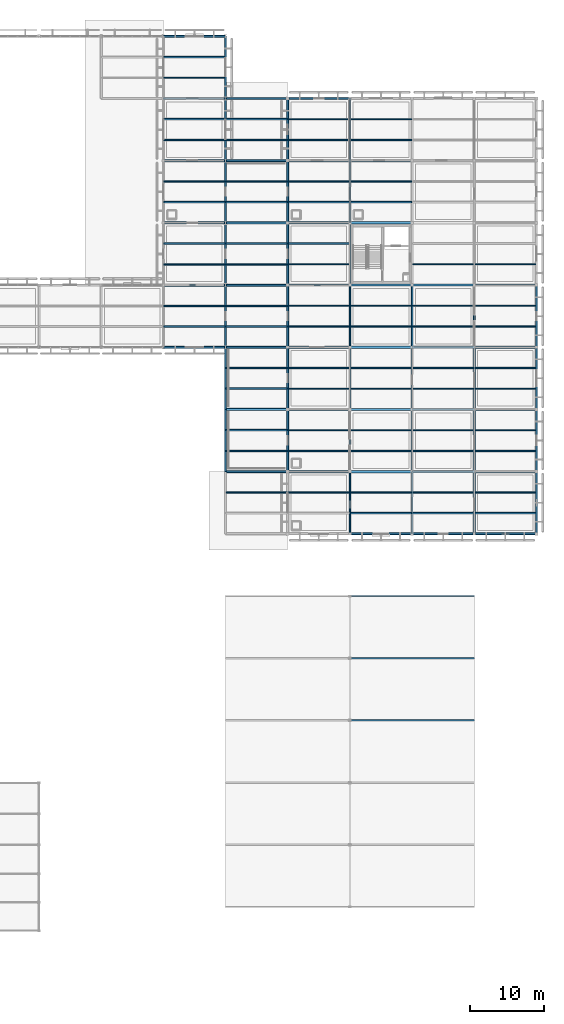
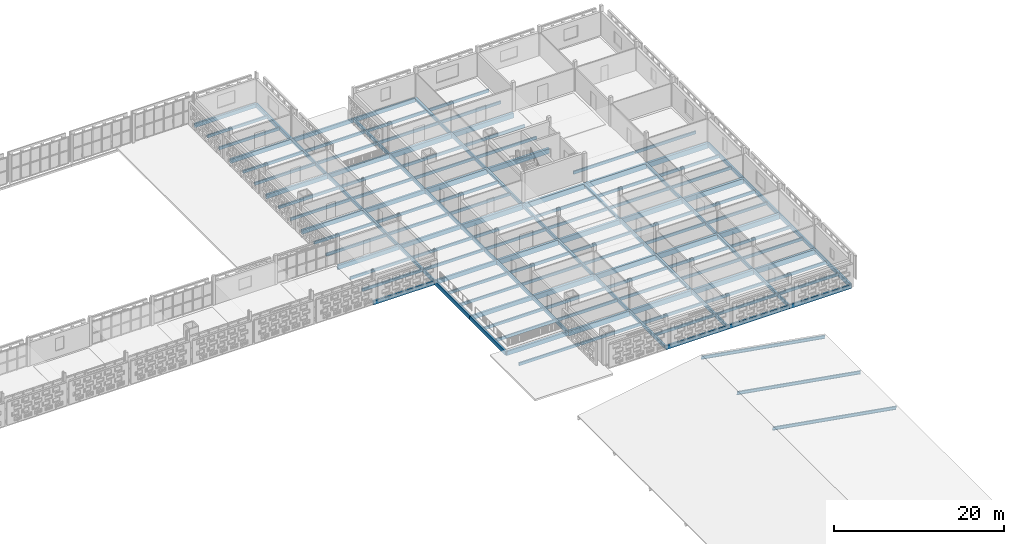
# One storey, part 68 of 140: 138 beams.
"""IFC4 building model written with IfcOpenShell, lengths in metres."""

from ifc_helpers import new_model, si_unit, direction, frame, origin, origin_2d, place, context, subcontext, project, spatial, rectangle, i_section, extrude, material, material_profile, profile_set, type_object, element, save


model = new_model("IFC4")

# Units and contexts
model_context = context("Model", 3, precision=1e-05, world=origin(), true_north=direction((0.0, 1.0)))
body_context = subcontext(model_context, "Body", "Model", "MODEL_VIEW")
ifc_project = project(units=[si_unit("LENGTHUNIT", "METRE"), si_unit("AREAUNIT", "SQUARE_METRE"), si_unit("VOLUMEUNIT", "CUBIC_METRE"), si_unit("PLANEANGLEUNIT", "RADIAN"), si_unit("MASSUNIT", "GRAM", prefix="KILO")], contexts=[model_context])

# Site, building, storey
site_placement = place(None, origin())
site = spatial("IfcSite", under=ifc_project, at=site_placement, CompositionType="ELEMENT")
building_placement = place(site_placement, origin())
building = spatial("IfcBuilding", under=site, at=building_placement, Name="Varnapada Polytechnic", CompositionType="ELEMENT")
storey_placement = place(building_placement, frame((0.0, 0.0, 13.800048828125)))
storey = spatial("IfcBuildingStorey", under=building, at=storey_placement, Name="L03", CompositionType="ELEMENT", Elevation=13.800048828125)

# Beams
ifc_material_1 = material(Name="Steel S355", Category="steel")
ifc_material_profile_1 = material_profile(ifc_material_1, i_section(OverallWidth=0.18994140625, OverallDepth=0.449951171875, WebThickness=0.009521484375, FlangeThickness=0.0146484375, FilletRadius=0.02099609375, at=origin_2d()), Name="IPE 450")
ifc_profile_set_1 = profile_set([ifc_material_profile_1], Name="Steel S355")
beam_type_1 = type_object("IfcBeamType", Name="Folded gable & library roof rafter SB-02 (IPE 450)", PredefinedType="BEAM", material=ifc_profile_set_1)
for number, where, z_axis, x_axis, name in (
    (1, (168.0, 33.60009765625, 0.22998046875), (-0.985721119745, 0.0, 0.168386086388), (0.0, -1.0, 0.0), "Refectory pavilion east rafter Y5"),
    (2, (168.0, 42.0, 0.22998046875), (-0.985721119745, 0.0, 0.168386086388), (0.0, -1.0, 0.0), "Refectory pavilion east rafter Y6"),
    (3, (168.0, 50.39990234375, 0.22998046875), (-0.985721119745, 0.0, 0.168386086388), (0.0, -1.0, 0.0), "Refectory pavilion east rafter Y7"),
):
    element("IfcBeam", number, at=place(storey_placement, frame(where, z_axis=z_axis, x_axis=x_axis)), inside=storey, type_object=beam_type_1, Name=name, PredefinedType="BEAM", context=body_context, shape_type="SweptSolid", body=[
        extrude(i_section(OverallWidth=0.18994140625, OverallDepth=0.449951171875, WebThickness=0.009521484375, FlangeThickness=0.0146484375, FilletRadius=0.02099609375, at=origin_2d()), origin(), (0.0, 0.0, 1.0), 17.04345703125),
    ])
ifc_material_2 = material(Name="Glulam GL32h", Category="wood")
ifc_material_profile_2 = material_profile(ifc_material_2, rectangle(XDim=0.320068359375, YDim=0.719970703125, at=origin_2d()), Name="GL 320x720")
ifc_profile_set_2 = profile_set([ifc_material_profile_2], Name="Glulam GL32h")
beam_type_2 = type_object("IfcBeamType", Name="Heavy library stack glulam girder GG-01 (GL 320x720)", PredefinedType="BEAM", material=ifc_profile_set_2)
for number, where, z_axis, x_axis, name in (
    (4, (142.800048828125, 67.199951171875, -0.630126953125), (1.0, 0.0, 0.0), (0.0, 1.0, 0.0), "L03 beam X 18-19 at Y9"),
    (5, (142.800048828125, 75.60009765625, -0.6201171875), (1.0, 0.0, 0.0), (0.0, 1.0, 0.0), "L03 beam X 18-19 at Y10"),
    (6, (142.800048828125, 84.0, -0.6201171875), (1.0, 0.0, 0.0), (0.0, 1.0, 0.0), "L03 beam X 18-19 at Y11"),
    (7, (142.800048828125, 92.39990234375, -0.6201171875), (1.0, 0.0, 0.0), (0.0, 1.0, 0.0), "L03 beam X 18-19 at Y12"),
    (8, (142.800048828125, 100.800048828125, -0.6201171875), (1.0, 0.0, 0.0), (0.0, 1.0, 0.0), "L03 beam X 18-19 at Y13"),
    (9, (142.800048828125, 109.199951171875, -0.630126953125), (1.0, 0.0, 0.0), (0.0, 1.0, 0.0), "L03 beam X 18-19 at Y14"),
):
    element("IfcBeam", number, at=place(storey_placement, frame(where, z_axis=z_axis, x_axis=x_axis)), inside=storey, type_object=beam_type_2, Name=name, PredefinedType="BEAM", context=body_context, shape_type="SweptSolid", body=[
        extrude(rectangle(XDim=0.320068359375, YDim=0.719970703125, at=origin_2d()), origin(), (0.0, 0.0, 1.0), 8.39990234375),
    ])
for number, where, z_axis, x_axis, name in (
    (10, (151.199951171875, 67.199951171875, -0.60009765625), (1.0, 0.0, 0.0), (0.0, 1.0, 0.0), "L03 beam X 19-20 at Y9"),
    (11, (151.199951171875, 75.60009765625, -0.60009765625), (1.0, 0.0, 0.0), (0.0, 1.0, 0.0), "L03 beam X 19-20 at Y10"),
    (12, (151.199951171875, 84.0, -0.60009765625), (1.0, 0.0, 0.0), (0.0, 1.0, 0.0), "L03 beam X 19-20 at Y11"),
    (13, (151.199951171875, 92.39990234375, -0.60009765625), (1.0, 0.0, 0.0), (0.0, 1.0, 0.0), "L03 beam X 19-20 at Y12"),
    (14, (151.199951171875, 100.800048828125, -0.60009765625), (1.0, 0.0, 0.0), (0.0, 1.0, 0.0), "L03 beam X 19-20 at Y13"),
    (15, (151.199951171875, 109.199951171875, -0.60009765625), (1.0, 0.0, 0.0), (0.0, 1.0, 0.0), "L03 beam X 19-20 at Y14"),
):
    element("IfcBeam", number, at=place(storey_placement, frame(where, z_axis=z_axis, x_axis=x_axis)), inside=storey, type_object=beam_type_2, Name=name, PredefinedType="BEAM", context=body_context, shape_type="SweptSolid", body=[
        extrude(rectangle(XDim=0.320068359375, YDim=0.719970703125, at=origin_2d()), origin(), (0.0, 0.0, 1.0), 8.400146484375),
    ])
for number, where, z_axis, x_axis, name in (
    (16, (159.60009765625, 67.199951171875, -0.60009765625), (1.0, 0.0, 0.0), (0.0, 1.0, 0.0), "L03 beam X 20-21 at Y9"),
    (17, (159.60009765625, 75.60009765625, -0.60009765625), (1.0, 0.0, 0.0), (0.0, 1.0, 0.0), "L03 beam X 20-21 at Y10"),
    (18, (159.60009765625, 84.0, -0.60009765625), (1.0, 0.0, 0.0), (0.0, 1.0, 0.0), "L03 beam X 20-21 at Y11"),
    (19, (159.60009765625, 92.39990234375, -0.60009765625), (1.0, 0.0, 0.0), (0.0, 1.0, 0.0), "L03 beam X 20-21 at Y12"),
    (20, (168.0, 67.199951171875, -0.60009765625), (1.0, 0.0, 0.0), (0.0, 1.0, 0.0), "L03 beam X 21-22 at Y9"),
    (21, (168.0, 75.60009765625, -0.60009765625), (1.0, 0.0, 0.0), (0.0, 1.0, 0.0), "L03 beam X 21-22 at Y10"),
    (22, (168.0, 84.0, -0.60009765625), (1.0, 0.0, 0.0), (0.0, 1.0, 0.0), "L03 beam X 21-22 at Y11"),
    (23, (168.0, 92.39990234375, -0.60009765625), (1.0, 0.0, 0.0), (0.0, 1.0, 0.0), "L03 beam X 21-22 at Y12"),
):
    element("IfcBeam", number, at=place(storey_placement, frame(where, z_axis=z_axis, x_axis=x_axis)), inside=storey, type_object=beam_type_2, Name=name, PredefinedType="BEAM", context=body_context, shape_type="SweptSolid", body=[
        extrude(rectangle(XDim=0.320068359375, YDim=0.719970703125, at=origin_2d()), origin(), (0.0, 0.0, 1.0), 8.39990234375),
    ])
ifc_material_profile_3 = material_profile(ifc_material_2, rectangle(XDim=0.199951171875, YDim=0.39990234375, at=origin_2d()), Name="GL 200x400")
ifc_profile_set_3 = profile_set([ifc_material_profile_3], Name="Glulam GL32h")
beam_type_3 = type_object("IfcBeamType", Name="Library/laboratory glulam floor joist GJ-01 (GL 200x400)", PredefinedType="JOIST", material=ifc_profile_set_3)
for number, where, z_axis, x_axis, name in (
    (24, (126.080078125, 86.800048828125, -0.4599609375), (1.0, 0.0, 0.0), (0.0, 1.0, 0.0), "L03 floor joist 16/11.1"),
    (25, (126.080078125, 89.60009765625, -0.4599609375), (1.0, 0.0, 0.0), (0.0, 1.0, 0.0), "L03 floor joist 16/11.2"),
    (26, (126.080078125, 95.199951171875, -0.469970703125), (1.0, 0.0, 0.0), (0.0, 1.0, 0.0), "L03 floor joist 16/12.1"),
    (27, (126.080078125, 98.0, -0.469970703125), (1.0, 0.0, 0.0), (0.0, 1.0, 0.0), "L03 floor joist 16/12.2"),
    (28, (126.080078125, 103.60009765625, -0.469970703125), (1.0, 0.0, 0.0), (0.0, 1.0, 0.0), "L03 floor joist 16/13.1"),
    (29, (126.080078125, 106.39990234375, -0.469970703125), (1.0, 0.0, 0.0), (0.0, 1.0, 0.0), "L03 floor joist 16/13.2"),
    (30, (126.080078125, 112.0, -0.469970703125), (1.0, 0.0, 0.0), (0.0, 1.0, 0.0), "L03 floor joist 16/14.1"),
    (31, (126.080078125, 114.800048828125, -0.469970703125), (1.0, 0.0, 0.0), (0.0, 1.0, 0.0), "L03 floor joist 16/14.2"),
    (32, (126.080078125, 120.39990234375, -0.469970703125), (1.0, 0.0, 0.0), (0.0, 1.0, 0.0), "L03 floor joist 16/15.1"),
    (33, (126.080078125, 123.199951171875, -0.469970703125), (1.0, 0.0, 0.0), (0.0, 1.0, 0.0), "L03 floor joist 16/15.2"),
    (34, (134.47998046875, 64.39990234375, -0.469970703125), (1.0, 0.0, 0.0), (0.0, 1.0, 0.0), "L03 floor joist 17/8.2"),
    (35, (134.47998046875, 70.0, -0.4599609375), (1.0, 0.0, 0.0), (0.0, 1.0, 0.0), "L03 floor joist 17/9.1"),
    (36, (134.47998046875, 72.800048828125, -0.4599609375), (1.0, 0.0, 0.0), (0.0, 1.0, 0.0), "L03 floor joist 17/9.2"),
    (37, (134.47998046875, 78.39990234375, -0.4599609375), (1.0, 0.0, 0.0), (0.0, 1.0, 0.0), "L03 floor joist 17/10.1"),
    (38, (134.47998046875, 81.199951171875, -0.4599609375), (1.0, 0.0, 0.0), (0.0, 1.0, 0.0), "L03 floor joist 17/10.2"),
    (39, (134.47998046875, 86.800048828125, -0.4599609375), (1.0, 0.0, 0.0), (0.0, 1.0, 0.0), "L03 floor joist 17/11.1"),
    (40, (134.47998046875, 89.60009765625, -0.4599609375), (1.0, 0.0, 0.0), (0.0, 1.0, 0.0), "L03 floor joist 17/11.2"),
    (41, (134.47998046875, 95.199951171875, -0.4599609375), (1.0, 0.0, 0.0), (0.0, 1.0, 0.0), "L03 floor joist 17/12.1"),
    (42, (134.47998046875, 98.0, -0.4599609375), (1.0, 0.0, 0.0), (0.0, 1.0, 0.0), "L03 floor joist 17/12.2"),
    (43, (134.47998046875, 103.60009765625, -0.4599609375), (1.0, 0.0, 0.0), (0.0, 1.0, 0.0), "L03 floor joist 17/13.1"),
    (44, (134.47998046875, 106.39990234375, -0.4599609375), (1.0, 0.0, 0.0), (0.0, 1.0, 0.0), "L03 floor joist 17/13.2"),
    (45, (134.47998046875, 112.0, -0.469970703125), (1.0, 0.0, 0.0), (0.0, 1.0, 0.0), "L03 floor joist 17/14.1"),
    (46, (134.47998046875, 114.800048828125, -0.469970703125), (1.0, 0.0, 0.0), (0.0, 1.0, 0.0), "L03 floor joist 17/14.2"),
):
    element("IfcBeam", number, at=place(storey_placement, frame(where, z_axis=z_axis, x_axis=x_axis)), inside=storey, type_object=beam_type_3, Name=name, PredefinedType="JOIST", context=body_context, shape_type="SweptSolid", body=[
        extrude(rectangle(XDim=0.199951171875, YDim=0.39990234375, at=origin_2d()), origin(), (0.0, 0.0, 1.0), 8.239990234375),
    ])
ifc_material_profile_4 = material_profile(ifc_material_2, rectangle(XDim=0.239990234375, YDim=0.56005859375, at=origin_2d()), Name="GL 240x560")
ifc_profile_set_4 = profile_set([ifc_material_profile_4], Name="Glulam GL32h")
beam_type_4 = type_object("IfcBeamType", Name="Perimeter glulam spandrel beam SP-02 (GL 240x560)", PredefinedType="SPANDREL", material=ifc_profile_set_4)
for number, where, z_axis, x_axis, name in (
    (47, (126.0, 84.0, -0.5400390625), (1.0, 0.0, 0.0), (0.0, 1.0, 0.0), "L03 beam X 16-17 at Y11"),
    (48, (126.0, 126.0, -0.550048828125), (1.0, 0.0, 0.0), (0.0, 1.0, 0.0), "L03 beam X 16-17 at Y16"),
):
    element("IfcBeam", number, at=place(storey_placement, frame(where, z_axis=z_axis, x_axis=x_axis)), inside=storey, type_object=beam_type_4, Name=name, PredefinedType="SPANDREL", context=body_context, shape_type="SweptSolid", body=[
        extrude(rectangle(XDim=0.239990234375, YDim=0.56005859375, at=origin_2d()), origin(), (0.0, 0.0, 1.0), 8.39990234375),
    ])
beam_1_placement = place(storey_placement, frame((134.39990234375, 117.60009765625, -0.550048828125), z_axis=(1.0, 0.0, 0.0), x_axis=(0.0, 1.0, 0.0)))
element("IfcBeam", 49, at=beam_1_placement, inside=storey, type_object=beam_type_4, Name="L03 beam X 17-18 at Y15", PredefinedType="SPANDREL", context=body_context, shape_type="SweptSolid", body=[
    extrude(rectangle(XDim=0.239990234375, YDim=0.56005859375, at=origin_2d()), origin(), (0.0, 0.0, 1.0), 8.400146484375),
])
beam_2_placement = place(storey_placement, frame((142.800048828125, 117.60009765625, -0.550048828125), z_axis=(1.0, 0.0, 0.0), x_axis=(0.0, 1.0, 0.0)))
element("IfcBeam", 50, at=beam_2_placement, inside=storey, type_object=beam_type_4, Name="L03 beam X 18-19 at Y15", PredefinedType="SPANDREL", context=body_context, shape_type="SweptSolid", body=[
    extrude(rectangle(XDim=0.239990234375, YDim=0.56005859375, at=origin_2d()), origin(), (0.0, 0.0, 1.0), 8.39990234375),
])
beam_3_placement = place(storey_placement, frame((151.199951171875, 58.800048828125, -0.52001953125), z_axis=(1.0, 0.0, 0.0), x_axis=(0.0, 1.0, 0.0)))
element("IfcBeam", 51, at=beam_3_placement, inside=storey, type_object=beam_type_4, Name="L03 beam X 19-20 at Y8", PredefinedType="SPANDREL", context=body_context, shape_type="SweptSolid", body=[
    extrude(rectangle(XDim=0.239990234375, YDim=0.56005859375, at=origin_2d()), origin(), (0.0, 0.0, 1.0), 8.400146484375),
])
for number, where, z_axis, x_axis, name in (
    (52, (159.60009765625, 58.800048828125, -0.52001953125), (1.0, 0.0, 0.0), (0.0, 1.0, 0.0), "L03 beam X 20-21 at Y8"),
    (53, (168.0, 58.800048828125, -0.52001953125), (1.0, 0.0, 0.0), (0.0, 1.0, 0.0), "L03 beam X 21-22 at Y8"),
):
    element("IfcBeam", number, at=place(storey_placement, frame(where, z_axis=z_axis, x_axis=x_axis)), inside=storey, type_object=beam_type_4, Name=name, PredefinedType="SPANDREL", context=body_context, shape_type="SweptSolid", body=[
        extrude(rectangle(XDim=0.239990234375, YDim=0.56005859375, at=origin_2d()), origin(), (0.0, 0.0, 1.0), 8.39990234375),
    ])
beam_4_placement = place(storey_placement, frame((134.39990234375, 67.199951171875, -0.550048828125), z_axis=(0.0, 1.0, 0.0), x_axis=(-1.0, 0.0, 0.0)))
element("IfcBeam", 54, at=beam_4_placement, inside=storey, type_object=beam_type_4, Name="L03 beam Y 9-10 at X17", PredefinedType="SPANDREL", context=body_context, shape_type="SweptSolid", body=[
    extrude(rectangle(XDim=0.239990234375, YDim=0.56005859375, at=origin_2d()), origin(), (0.0, 0.0, 1.0), 8.400146484375),
])
for number, where, z_axis, x_axis, name in (
    (55, (134.39990234375, 75.60009765625, -0.5400390625), (0.0, 1.0, 0.0), (-1.0, 0.0, 0.0), "L03 beam Y 10-11 at X17"),
    (56, (134.39990234375, 117.60009765625, -0.550048828125), (0.0, 1.0, 0.0), (-1.0, 0.0, 0.0), "L03 beam Y 15-16 at X17"),
    (57, (176.39990234375, 58.800048828125, -0.52001953125), (0.0, 1.0, 0.0), (-1.0, 0.0, 0.0), "L03 beam Y 8-9 at X22"),
):
    element("IfcBeam", number, at=place(storey_placement, frame(where, z_axis=z_axis, x_axis=x_axis)), inside=storey, type_object=beam_type_4, Name=name, PredefinedType="SPANDREL", context=body_context, shape_type="SweptSolid", body=[
        extrude(rectangle(XDim=0.239990234375, YDim=0.56005859375, at=origin_2d()), origin(), (0.0, 0.0, 1.0), 8.39990234375),
    ])
beam_5_placement = place(storey_placement, frame((176.39990234375, 67.199951171875, -0.52001953125), z_axis=(0.0, 1.0, 0.0), x_axis=(-1.0, 0.0, 0.0)))
element("IfcBeam", 58, at=beam_5_placement, inside=storey, type_object=beam_type_4, Name="L03 beam Y 9-10 at X22", PredefinedType="SPANDREL", context=body_context, shape_type="SweptSolid", body=[
    extrude(rectangle(XDim=0.239990234375, YDim=0.56005859375, at=origin_2d()), origin(), (0.0, 0.0, 1.0), 8.400146484375),
])
for number, where, z_axis, x_axis, name in (
    (59, (176.39990234375, 75.60009765625, -0.52001953125), (0.0, 1.0, 0.0), (-1.0, 0.0, 0.0), "L03 beam Y 10-11 at X22"),
    (60, (176.39990234375, 84.0, -0.52001953125), (0.0, 1.0, 0.0), (-1.0, 0.0, 0.0), "L03 beam Y 11-12 at X22"),
):
    element("IfcBeam", number, at=place(storey_placement, frame(where, z_axis=z_axis, x_axis=x_axis)), inside=storey, type_object=beam_type_4, Name=name, PredefinedType="SPANDREL", context=body_context, shape_type="SweptSolid", body=[
        extrude(rectangle(XDim=0.239990234375, YDim=0.56005859375, at=origin_2d()), origin(), (0.0, 0.0, 1.0), 8.39990234375),
    ])
ifc_material_profile_5 = material_profile(ifc_material_2, rectangle(XDim=0.179931640625, YDim=0.419921875, at=origin_2d()), Name="GL 180x420")
ifc_profile_set_5 = profile_set([ifc_material_profile_5], Name="Glulam GL32h")
beam_type_5 = type_object("IfcBeamType", Name="Reading hall glulam joist GJ-04 (GL 180x420)", PredefinedType="JOIST", material=ifc_profile_set_5)
for number, where, z_axis, x_axis, name in (
    (61, (142.8798828125, 64.39990234375, -0.47998046875), (1.0, 0.0, 0.0), (0.0, 1.0, 0.0), "L03 floor joist 18/8.2"),
    (62, (142.8798828125, 70.0, -0.469970703125), (1.0, 0.0, 0.0), (0.0, 1.0, 0.0), "L03 floor joist 18/9.1"),
    (63, (142.8798828125, 72.800048828125, -0.469970703125), (1.0, 0.0, 0.0), (0.0, 1.0, 0.0), "L03 floor joist 18/9.2"),
    (64, (142.8798828125, 78.39990234375, -0.469970703125), (1.0, 0.0, 0.0), (0.0, 1.0, 0.0), "L03 floor joist 18/10.1"),
    (65, (142.8798828125, 81.199951171875, -0.469970703125), (1.0, 0.0, 0.0), (0.0, 1.0, 0.0), "L03 floor joist 18/10.2"),
    (66, (142.8798828125, 86.800048828125, -0.469970703125), (1.0, 0.0, 0.0), (0.0, 1.0, 0.0), "L03 floor joist 18/11.1"),
    (67, (142.8798828125, 89.60009765625, -0.469970703125), (1.0, 0.0, 0.0), (0.0, 1.0, 0.0), "L03 floor joist 18/11.2"),
    (68, (142.8798828125, 95.199951171875, -0.469970703125), (1.0, 0.0, 0.0), (0.0, 1.0, 0.0), "L03 floor joist 18/12.1"),
    (69, (142.8798828125, 98.0, -0.469970703125), (1.0, 0.0, 0.0), (0.0, 1.0, 0.0), "L03 floor joist 18/12.2"),
    (70, (142.8798828125, 103.60009765625, -0.469970703125), (1.0, 0.0, 0.0), (0.0, 1.0, 0.0), "L03 floor joist 18/13.1"),
    (71, (142.8798828125, 106.39990234375, -0.469970703125), (1.0, 0.0, 0.0), (0.0, 1.0, 0.0), "L03 floor joist 18/13.2"),
    (72, (142.8798828125, 112.0, -0.47998046875), (1.0, 0.0, 0.0), (0.0, 1.0, 0.0), "L03 floor joist 18/14.1"),
    (73, (142.8798828125, 114.800048828125, -0.47998046875), (1.0, 0.0, 0.0), (0.0, 1.0, 0.0), "L03 floor joist 18/14.2"),
):
    element("IfcBeam", number, at=place(storey_placement, frame(where, z_axis=z_axis, x_axis=x_axis)), inside=storey, type_object=beam_type_5, Name=name, PredefinedType="JOIST", context=body_context, shape_type="SweptSolid", body=[
        extrude(rectangle(XDim=0.179931640625, YDim=0.419921875, at=origin_2d()), origin(), (0.0, 0.0, 1.0), 8.240234375),
    ])
for number, where, z_axis, x_axis, name in (
    (74, (151.280029296875, 61.60009765625, -0.449951171875), (1.0, 0.0, 0.0), (0.0, 1.0, 0.0), "L03 floor joist 19/8.1"),
    (75, (151.280029296875, 64.39990234375, -0.449951171875), (1.0, 0.0, 0.0), (0.0, 1.0, 0.0), "L03 floor joist 19/8.2"),
    (76, (151.280029296875, 70.0, -0.449951171875), (1.0, 0.0, 0.0), (0.0, 1.0, 0.0), "L03 floor joist 19/9.1"),
    (77, (151.280029296875, 72.800048828125, -0.449951171875), (1.0, 0.0, 0.0), (0.0, 1.0, 0.0), "L03 floor joist 19/9.2"),
    (78, (151.280029296875, 78.39990234375, -0.449951171875), (1.0, 0.0, 0.0), (0.0, 1.0, 0.0), "L03 floor joist 19/10.1"),
    (79, (151.280029296875, 81.199951171875, -0.449951171875), (1.0, 0.0, 0.0), (0.0, 1.0, 0.0), "L03 floor joist 19/10.2"),
    (80, (151.280029296875, 86.800048828125, -0.449951171875), (1.0, 0.0, 0.0), (0.0, 1.0, 0.0), "L03 floor joist 19/11.1"),
    (81, (151.280029296875, 89.60009765625, -0.449951171875), (1.0, 0.0, 0.0), (0.0, 1.0, 0.0), "L03 floor joist 19/11.2"),
    (82, (151.280029296875, 103.60009765625, -0.449951171875), (1.0, 0.0, 0.0), (0.0, 1.0, 0.0), "L03 floor joist 19/13.1"),
    (83, (151.280029296875, 106.39990234375, -0.449951171875), (1.0, 0.0, 0.0), (0.0, 1.0, 0.0), "L03 floor joist 19/13.2"),
    (84, (151.280029296875, 112.0, -0.449951171875), (1.0, 0.0, 0.0), (0.0, 1.0, 0.0), "L03 floor joist 19/14.1"),
    (85, (151.280029296875, 114.800048828125, -0.449951171875), (1.0, 0.0, 0.0), (0.0, 1.0, 0.0), "L03 floor joist 19/14.2"),
    (86, (159.679931640625, 61.60009765625, -0.449951171875), (1.0, 0.0, 0.0), (0.0, 1.0, 0.0), "L03 floor joist 20/8.1"),
    (87, (159.679931640625, 64.39990234375, -0.449951171875), (1.0, 0.0, 0.0), (0.0, 1.0, 0.0), "L03 floor joist 20/8.2"),
    (88, (159.679931640625, 70.0, -0.449951171875), (1.0, 0.0, 0.0), (0.0, 1.0, 0.0), "L03 floor joist 20/9.1"),
    (89, (159.679931640625, 72.800048828125, -0.449951171875), (1.0, 0.0, 0.0), (0.0, 1.0, 0.0), "L03 floor joist 20/9.2"),
    (90, (159.679931640625, 78.39990234375, -0.449951171875), (1.0, 0.0, 0.0), (0.0, 1.0, 0.0), "L03 floor joist 20/10.1"),
    (91, (159.679931640625, 81.199951171875, -0.449951171875), (1.0, 0.0, 0.0), (0.0, 1.0, 0.0), "L03 floor joist 20/10.2"),
    (92, (159.679931640625, 86.800048828125, -0.449951171875), (1.0, 0.0, 0.0), (0.0, 1.0, 0.0), "L03 floor joist 20/11.1"),
    (93, (159.679931640625, 89.60009765625, -0.449951171875), (1.0, 0.0, 0.0), (0.0, 1.0, 0.0), "L03 floor joist 20/11.2"),
    (94, (159.679931640625, 95.199951171875, -0.449951171875), (1.0, 0.0, 0.0), (0.0, 1.0, 0.0), "L03 floor joist 20/12.1"),
    (95, (168.080078125, 61.60009765625, -0.449951171875), (1.0, 0.0, 0.0), (0.0, 1.0, 0.0), "L03 floor joist 21/8.1"),
    (96, (168.080078125, 64.39990234375, -0.449951171875), (1.0, 0.0, 0.0), (0.0, 1.0, 0.0), "L03 floor joist 21/8.2"),
    (97, (168.080078125, 70.0, -0.449951171875), (1.0, 0.0, 0.0), (0.0, 1.0, 0.0), "L03 floor joist 21/9.1"),
    (98, (168.080078125, 72.800048828125, -0.449951171875), (1.0, 0.0, 0.0), (0.0, 1.0, 0.0), "L03 floor joist 21/9.2"),
    (99, (168.080078125, 78.39990234375, -0.449951171875), (1.0, 0.0, 0.0), (0.0, 1.0, 0.0), "L03 floor joist 21/10.1"),
    (100, (168.080078125, 81.199951171875, -0.449951171875), (1.0, 0.0, 0.0), (0.0, 1.0, 0.0), "L03 floor joist 21/10.2"),
    (101, (168.080078125, 86.800048828125, -0.449951171875), (1.0, 0.0, 0.0), (0.0, 1.0, 0.0), "L03 floor joist 21/11.1"),
    (102, (168.080078125, 89.60009765625, -0.449951171875), (1.0, 0.0, 0.0), (0.0, 1.0, 0.0), "L03 floor joist 21/11.2"),
    (103, (168.080078125, 95.199951171875, -0.449951171875), (1.0, 0.0, 0.0), (0.0, 1.0, 0.0), "L03 floor joist 21/12.1"),
):
    element("IfcBeam", number, at=place(storey_placement, frame(where, z_axis=z_axis, x_axis=x_axis)), inside=storey, type_object=beam_type_5, Name=name, PredefinedType="JOIST", context=body_context, shape_type="SweptSolid", body=[
        extrude(rectangle(XDim=0.179931640625, YDim=0.419921875, at=origin_2d()), origin(), (0.0, 0.0, 1.0), 8.239990234375),
    ])
ifc_material_profile_6 = material_profile(ifc_material_2, rectangle(XDim=0.260009765625, YDim=0.60009765625, at=origin_2d()), Name="GL 260x600")
ifc_profile_set_6 = profile_set([ifc_material_profile_6], Name="Glulam GL32h")
beam_type_6 = type_object("IfcBeamType", Name="Seminar wing glulam girder GG-05 (GL 260x600)", PredefinedType="BEAM", material=ifc_profile_set_6)
for number, where, z_axis, x_axis, name in (
    (104, (126.0, 92.39990234375, -0.570068359375), (1.0, 0.0, 0.0), (0.0, 1.0, 0.0), "L03 beam X 16-17 at Y12"),
    (105, (126.0, 100.800048828125, -0.570068359375), (1.0, 0.0, 0.0), (0.0, 1.0, 0.0), "L03 beam X 16-17 at Y13"),
    (106, (126.0, 109.199951171875, -0.570068359375), (1.0, 0.0, 0.0), (0.0, 1.0, 0.0), "L03 beam X 16-17 at Y14"),
    (107, (126.0, 117.60009765625, -0.570068359375), (1.0, 0.0, 0.0), (0.0, 1.0, 0.0), "L03 beam X 16-17 at Y15"),
):
    element("IfcBeam", number, at=place(storey_placement, frame(where, z_axis=z_axis, x_axis=x_axis)), inside=storey, type_object=beam_type_6, Name=name, PredefinedType="BEAM", context=body_context, shape_type="SweptSolid", body=[
        extrude(rectangle(XDim=0.260009765625, YDim=0.60009765625, at=origin_2d()), origin(), (0.0, 0.0, 1.0), 8.39990234375),
    ])
for number, where, z_axis, x_axis, name in (
    (108, (134.39990234375, 67.199951171875, -0.570068359375), (1.0, 0.0, 0.0), (0.0, 1.0, 0.0), "L03 beam X 17-18 at Y9"),
    (109, (134.39990234375, 75.60009765625, -0.56005859375), (1.0, 0.0, 0.0), (0.0, 1.0, 0.0), "L03 beam X 17-18 at Y10"),
    (110, (134.39990234375, 84.0, -0.56005859375), (1.0, 0.0, 0.0), (0.0, 1.0, 0.0), "L03 beam X 17-18 at Y11"),
    (111, (134.39990234375, 92.39990234375, -0.56005859375), (1.0, 0.0, 0.0), (0.0, 1.0, 0.0), "L03 beam X 17-18 at Y12"),
    (112, (134.39990234375, 100.800048828125, -0.56005859375), (1.0, 0.0, 0.0), (0.0, 1.0, 0.0), "L03 beam X 17-18 at Y13"),
    (113, (134.39990234375, 109.199951171875, -0.570068359375), (1.0, 0.0, 0.0), (0.0, 1.0, 0.0), "L03 beam X 17-18 at Y14"),
):
    element("IfcBeam", number, at=place(storey_placement, frame(where, z_axis=z_axis, x_axis=x_axis)), inside=storey, type_object=beam_type_6, Name=name, PredefinedType="BEAM", context=body_context, shape_type="SweptSolid", body=[
        extrude(rectangle(XDim=0.260009765625, YDim=0.60009765625, at=origin_2d()), origin(), (0.0, 0.0, 1.0), 8.400146484375),
    ])
ifc_material_profile_7 = material_profile(ifc_material_2, rectangle(XDim=0.219970703125, YDim=0.47998046875, at=origin_2d()), Name="GL 220x480")
ifc_profile_set_7 = profile_set([ifc_material_profile_7], Name="Glulam GL32h")
beam_type_7 = type_object("IfcBeamType", Name="Upper floor glulam tie beam GB-11 (GL 220x480)", PredefinedType="BEAM", material=ifc_profile_set_7)
beam_6_placement = place(storey_placement, frame((134.39990234375, 84.0, -0.5), z_axis=(0.0, 1.0, 0.0), x_axis=(-1.0, 0.0, 0.0)))
element("IfcBeam", 114, at=beam_6_placement, inside=storey, type_object=beam_type_7, Name="L03 beam Y 11-12 at X17", PredefinedType="BEAM", context=body_context, shape_type="SweptSolid", body=[
    extrude(rectangle(XDim=0.219970703125, YDim=0.47998046875, at=origin_2d()), origin(), (0.0, 0.0, 1.0), 8.39990234375),
])
beam_7_placement = place(storey_placement, frame((134.39990234375, 92.39990234375, -0.5), z_axis=(0.0, 1.0, 0.0), x_axis=(-1.0, 0.0, 0.0)))
element("IfcBeam", 115, at=beam_7_placement, inside=storey, type_object=beam_type_7, Name="L03 beam Y 12-13 at X17", PredefinedType="BEAM", context=body_context, shape_type="SweptSolid", body=[
    extrude(rectangle(XDim=0.219970703125, YDim=0.47998046875, at=origin_2d()), origin(), (0.0, 0.0, 1.0), 8.400146484375),
])
beam_8_placement = place(storey_placement, frame((134.39990234375, 100.800048828125, -0.510009765625), z_axis=(0.0, 1.0, 0.0), x_axis=(-1.0, 0.0, 0.0)))
element("IfcBeam", 116, at=beam_8_placement, inside=storey, type_object=beam_type_7, Name="L03 beam Y 13-14 at X17", PredefinedType="BEAM", context=body_context, shape_type="SweptSolid", body=[
    extrude(rectangle(XDim=0.219970703125, YDim=0.47998046875, at=origin_2d()), origin(), (0.0, 0.0, 1.0), 8.39990234375),
])
for number, where, z_axis, x_axis, name in (
    (117, (134.39990234375, 109.199951171875, -0.510009765625), (0.0, 1.0, 0.0), (-1.0, 0.0, 0.0), "L03 beam Y 14-15 at X17"),
    (118, (142.800048828125, 67.199951171875, -0.510009765625), (0.0, 1.0, 0.0), (-1.0, 0.0, 0.0), "L03 beam Y 9-10 at X18"),
):
    element("IfcBeam", number, at=place(storey_placement, frame(where, z_axis=z_axis, x_axis=x_axis)), inside=storey, type_object=beam_type_7, Name=name, PredefinedType="BEAM", context=body_context, shape_type="SweptSolid", body=[
        extrude(rectangle(XDim=0.219970703125, YDim=0.47998046875, at=origin_2d()), origin(), (0.0, 0.0, 1.0), 8.400146484375),
    ])
for number, where, z_axis, x_axis, name in (
    (119, (142.800048828125, 75.60009765625, -0.5), (0.0, 1.0, 0.0), (-1.0, 0.0, 0.0), "L03 beam Y 10-11 at X18"),
    (120, (142.800048828125, 84.0, -0.5), (0.0, 1.0, 0.0), (-1.0, 0.0, 0.0), "L03 beam Y 11-12 at X18"),
):
    element("IfcBeam", number, at=place(storey_placement, frame(where, z_axis=z_axis, x_axis=x_axis)), inside=storey, type_object=beam_type_7, Name=name, PredefinedType="BEAM", context=body_context, shape_type="SweptSolid", body=[
        extrude(rectangle(XDim=0.219970703125, YDim=0.47998046875, at=origin_2d()), origin(), (0.0, 0.0, 1.0), 8.39990234375),
    ])
beam_9_placement = place(storey_placement, frame((142.800048828125, 92.39990234375, -0.5), z_axis=(0.0, 1.0, 0.0), x_axis=(-1.0, 0.0, 0.0)))
element("IfcBeam", 121, at=beam_9_placement, inside=storey, type_object=beam_type_7, Name="L03 beam Y 12-13 at X18", PredefinedType="BEAM", context=body_context, shape_type="SweptSolid", body=[
    extrude(rectangle(XDim=0.219970703125, YDim=0.47998046875, at=origin_2d()), origin(), (0.0, 0.0, 1.0), 8.400146484375),
])
beam_10_placement = place(storey_placement, frame((142.800048828125, 100.800048828125, -0.510009765625), z_axis=(0.0, 1.0, 0.0), x_axis=(-1.0, 0.0, 0.0)))
element("IfcBeam", 122, at=beam_10_placement, inside=storey, type_object=beam_type_7, Name="L03 beam Y 13-14 at X18", PredefinedType="BEAM", context=body_context, shape_type="SweptSolid", body=[
    extrude(rectangle(XDim=0.219970703125, YDim=0.47998046875, at=origin_2d()), origin(), (0.0, 0.0, 1.0), 8.39990234375),
])
beam_11_placement = place(storey_placement, frame((142.800048828125, 109.199951171875, -0.510009765625), z_axis=(0.0, 1.0, 0.0), x_axis=(-1.0, 0.0, 0.0)))
element("IfcBeam", 123, at=beam_11_placement, inside=storey, type_object=beam_type_7, Name="L03 beam Y 14-15 at X18", PredefinedType="BEAM", context=body_context, shape_type="SweptSolid", body=[
    extrude(rectangle(XDim=0.219970703125, YDim=0.47998046875, at=origin_2d()), origin(), (0.0, 0.0, 1.0), 8.400146484375),
])
beam_12_placement = place(storey_placement, frame((151.199951171875, 58.800048828125, -0.47998046875), z_axis=(0.0, 1.0, 0.0), x_axis=(-1.0, 0.0, 0.0)))
element("IfcBeam", 124, at=beam_12_placement, inside=storey, type_object=beam_type_7, Name="L03 beam Y 8-9 at X19", PredefinedType="BEAM", context=body_context, shape_type="SweptSolid", body=[
    extrude(rectangle(XDim=0.219970703125, YDim=0.47998046875, at=origin_2d()), origin(), (0.0, 0.0, 1.0), 8.39990234375),
])
beam_13_placement = place(storey_placement, frame((151.199951171875, 67.199951171875, -0.47998046875), z_axis=(0.0, 1.0, 0.0), x_axis=(-1.0, 0.0, 0.0)))
element("IfcBeam", 125, at=beam_13_placement, inside=storey, type_object=beam_type_7, Name="L03 beam Y 9-10 at X19", PredefinedType="BEAM", context=body_context, shape_type="SweptSolid", body=[
    extrude(rectangle(XDim=0.219970703125, YDim=0.47998046875, at=origin_2d()), origin(), (0.0, 0.0, 1.0), 8.400146484375),
])
for number, where, z_axis, x_axis, name in (
    (126, (151.199951171875, 75.60009765625, -0.47998046875), (0.0, 1.0, 0.0), (-1.0, 0.0, 0.0), "L03 beam Y 10-11 at X19"),
    (127, (151.199951171875, 84.0, -0.47998046875), (0.0, 1.0, 0.0), (-1.0, 0.0, 0.0), "L03 beam Y 11-12 at X19"),
):
    element("IfcBeam", number, at=place(storey_placement, frame(where, z_axis=z_axis, x_axis=x_axis)), inside=storey, type_object=beam_type_7, Name=name, PredefinedType="BEAM", context=body_context, shape_type="SweptSolid", body=[
        extrude(rectangle(XDim=0.219970703125, YDim=0.47998046875, at=origin_2d()), origin(), (0.0, 0.0, 1.0), 8.39990234375),
    ])
beam_14_placement = place(storey_placement, frame((151.199951171875, 92.39990234375, -0.47998046875), z_axis=(0.0, 1.0, 0.0), x_axis=(-1.0, 0.0, 0.0)))
element("IfcBeam", 128, at=beam_14_placement, inside=storey, type_object=beam_type_7, Name="L03 beam Y 12-13 at X19", PredefinedType="BEAM", context=body_context, shape_type="SweptSolid", body=[
    extrude(rectangle(XDim=0.219970703125, YDim=0.47998046875, at=origin_2d()), origin(), (0.0, 0.0, 1.0), 8.400146484375),
])
beam_15_placement = place(storey_placement, frame((151.199951171875, 100.800048828125, -0.47998046875), z_axis=(0.0, 1.0, 0.0), x_axis=(-1.0, 0.0, 0.0)))
element("IfcBeam", 129, at=beam_15_placement, inside=storey, type_object=beam_type_7, Name="L03 beam Y 13-14 at X19", PredefinedType="BEAM", context=body_context, shape_type="SweptSolid", body=[
    extrude(rectangle(XDim=0.219970703125, YDim=0.47998046875, at=origin_2d()), origin(), (0.0, 0.0, 1.0), 8.39990234375),
])
beam_16_placement = place(storey_placement, frame((151.199951171875, 109.199951171875, -0.47998046875), z_axis=(0.0, 1.0, 0.0), x_axis=(-1.0, 0.0, 0.0)))
element("IfcBeam", 130, at=beam_16_placement, inside=storey, type_object=beam_type_7, Name="L03 beam Y 14-15 at X19", PredefinedType="BEAM", context=body_context, shape_type="SweptSolid", body=[
    extrude(rectangle(XDim=0.219970703125, YDim=0.47998046875, at=origin_2d()), origin(), (0.0, 0.0, 1.0), 8.400146484375),
])
beam_17_placement = place(storey_placement, frame((159.60009765625, 58.800048828125, -0.47998046875), z_axis=(0.0, 1.0, 0.0), x_axis=(-1.0, 0.0, 0.0)))
element("IfcBeam", 131, at=beam_17_placement, inside=storey, type_object=beam_type_7, Name="L03 beam Y 8-9 at X20", PredefinedType="BEAM", context=body_context, shape_type="SweptSolid", body=[
    extrude(rectangle(XDim=0.219970703125, YDim=0.47998046875, at=origin_2d()), origin(), (0.0, 0.0, 1.0), 8.39990234375),
])
beam_18_placement = place(storey_placement, frame((159.60009765625, 67.199951171875, -0.47998046875), z_axis=(0.0, 1.0, 0.0), x_axis=(-1.0, 0.0, 0.0)))
element("IfcBeam", 132, at=beam_18_placement, inside=storey, type_object=beam_type_7, Name="L03 beam Y 9-10 at X20", PredefinedType="BEAM", context=body_context, shape_type="SweptSolid", body=[
    extrude(rectangle(XDim=0.219970703125, YDim=0.47998046875, at=origin_2d()), origin(), (0.0, 0.0, 1.0), 8.400146484375),
])
for number, where, z_axis, x_axis, name in (
    (133, (159.60009765625, 75.60009765625, -0.47998046875), (0.0, 1.0, 0.0), (-1.0, 0.0, 0.0), "L03 beam Y 10-11 at X20"),
    (134, (159.60009765625, 84.0, -0.47998046875), (0.0, 1.0, 0.0), (-1.0, 0.0, 0.0), "L03 beam Y 11-12 at X20"),
    (135, (168.0, 58.800048828125, -0.47998046875), (0.0, 1.0, 0.0), (-1.0, 0.0, 0.0), "L03 beam Y 8-9 at X21"),
):
    element("IfcBeam", number, at=place(storey_placement, frame(where, z_axis=z_axis, x_axis=x_axis)), inside=storey, type_object=beam_type_7, Name=name, PredefinedType="BEAM", context=body_context, shape_type="SweptSolid", body=[
        extrude(rectangle(XDim=0.219970703125, YDim=0.47998046875, at=origin_2d()), origin(), (0.0, 0.0, 1.0), 8.39990234375),
    ])
beam_19_placement = place(storey_placement, frame((168.0, 67.199951171875, -0.47998046875), z_axis=(0.0, 1.0, 0.0), x_axis=(-1.0, 0.0, 0.0)))
element("IfcBeam", 136, at=beam_19_placement, inside=storey, type_object=beam_type_7, Name="L03 beam Y 9-10 at X21", PredefinedType="BEAM", context=body_context, shape_type="SweptSolid", body=[
    extrude(rectangle(XDim=0.219970703125, YDim=0.47998046875, at=origin_2d()), origin(), (0.0, 0.0, 1.0), 8.400146484375),
])
for number, where, z_axis, x_axis, name in (
    (137, (168.0, 75.60009765625, -0.47998046875), (0.0, 1.0, 0.0), (-1.0, 0.0, 0.0), "L03 beam Y 10-11 at X21"),
    (138, (168.0, 84.0, -0.47998046875), (0.0, 1.0, 0.0), (-1.0, 0.0, 0.0), "L03 beam Y 11-12 at X21"),
):
    element("IfcBeam", number, at=place(storey_placement, frame(where, z_axis=z_axis, x_axis=x_axis)), inside=storey, type_object=beam_type_7, Name=name, PredefinedType="BEAM", context=body_context, shape_type="SweptSolid", body=[
        extrude(rectangle(XDim=0.219970703125, YDim=0.47998046875, at=origin_2d()), origin(), (0.0, 0.0, 1.0), 8.39990234375),
    ])

save(model, "model.ifc")
